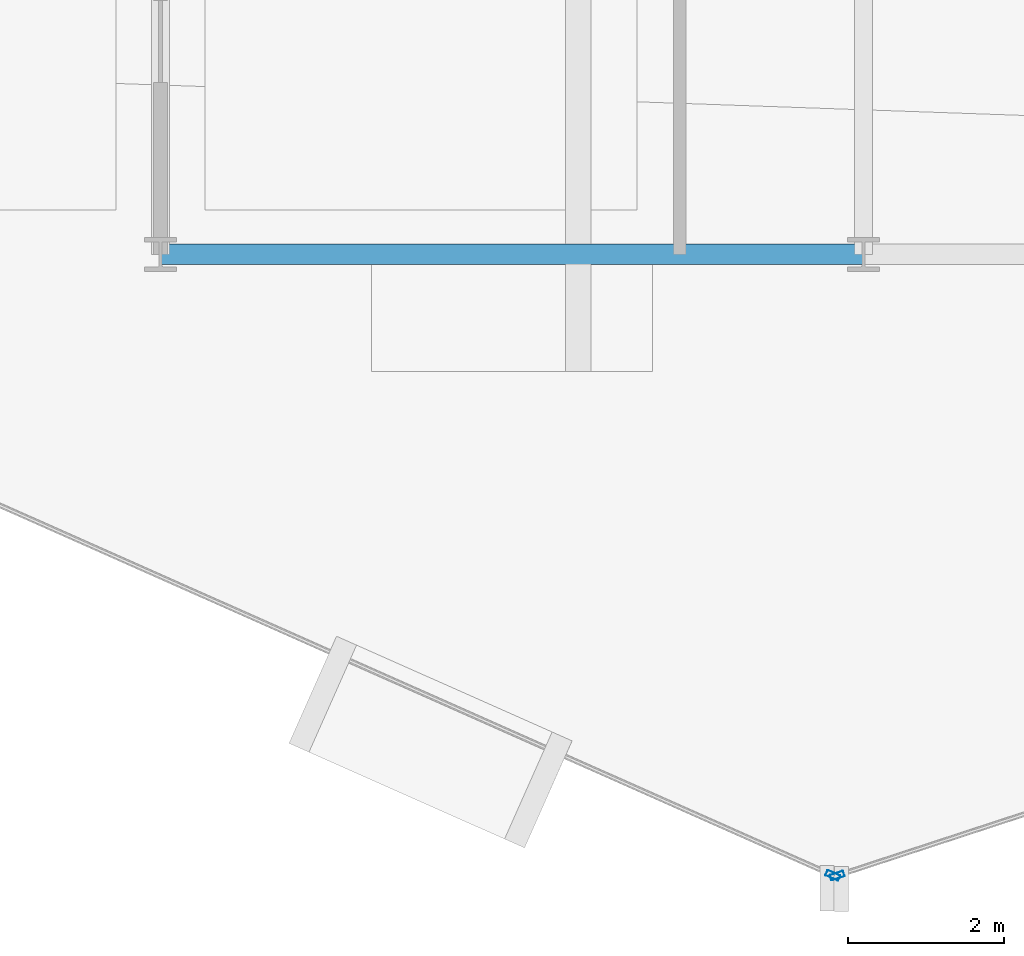
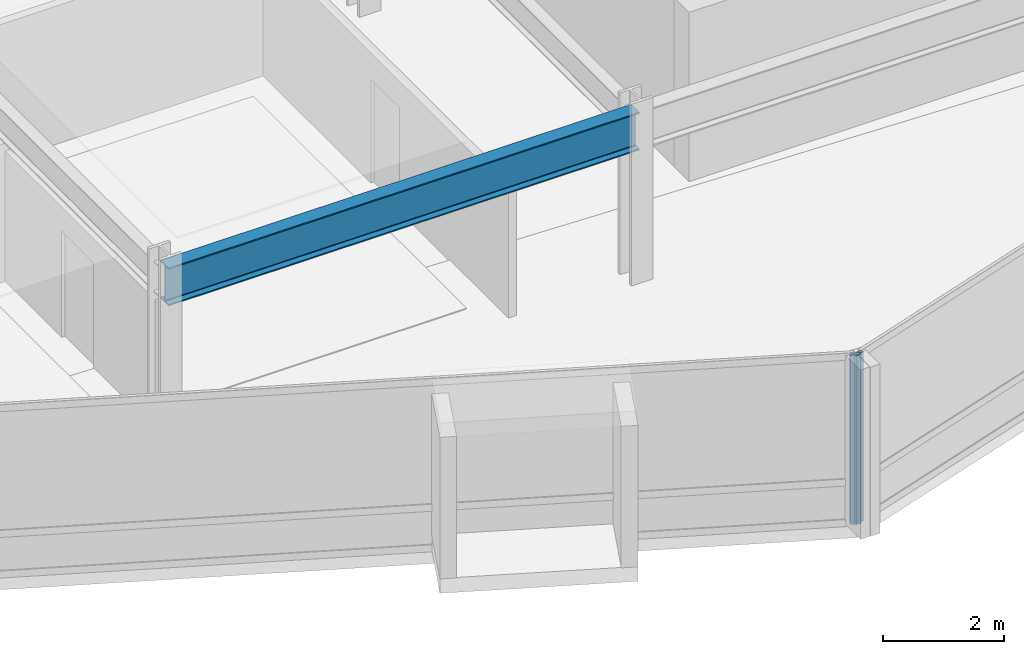
# One storey, part 4 of 29: 2 members, 1 beam, 2 elements without a shape of their own.
"""IFC4 building model written with IfcOpenShell, lengths in metres."""

from ifc_helpers import new_model, si_unit, direction, frame, origin, origin_2d, place, context, subcontext, project, spatial, hollow_rectangle, i_section, extrude, material, layer, layer_set, material_profile, profile_set, type_object, element, aggregate, save


model = new_model("IFC4")

# Units and contexts
model_context = context("Model", 3, precision=1e-05, world=origin(), true_north=direction((0.0, 1.0)))
body_context = subcontext(model_context, "Body", "Model", "MODEL_VIEW")
ifc_project = project(units=[si_unit("LENGTHUNIT", "METRE"), si_unit("AREAUNIT", "SQUARE_METRE"), si_unit("VOLUMEUNIT", "CUBIC_METRE"), si_unit("PLANEANGLEUNIT", "RADIAN"), si_unit("MASSUNIT", "GRAM", prefix="KILO")], contexts=[model_context])

# Site, building, storey
site_placement = place(None, origin())
site = spatial("IfcSite", under=ifc_project, at=site_placement, CompositionType="ELEMENT")
building_placement = place(site_placement, origin())
building = spatial("IfcBuilding", under=site, at=building_placement, Name="Solvaryn Broadcast Tower", CompositionType="ELEMENT")
storey_placement = place(building_placement, frame((0.0, 0.0, 139.60009765625)))
storey = spatial("IfcBuildingStorey", under=building, at=storey_placement, Name="L34", CompositionType="ELEMENT", Elevation=139.60009765625)

# Beam
ifc_material_1 = material(Name="Steel ASTM A992 Grade 50", Category="steel")
ifc_material_profile_1 = material_profile(ifc_material_1, i_section(OverallWidth=0.26708984375, OverallDepth=0.76611328125, WebThickness=0.014892578125, FlangeThickness=0.023681640625, FilletRadius=0.01806640625, at=origin_2d()))
ifc_profile_set_1 = profile_set([ifc_material_profile_1], Name="Steel ASTM A992 Grade 50")
beam_type = type_object("IfcBeamType", Name="BM-SP2-W30X124", PredefinedType="USERDEFINED", material=ifc_profile_set_1)
beam_placement = place(storey_placement, frame((18.0, 9.0, 3.036865234375), z_axis=(1.0, 0.0, 0.0), x_axis=(0.0, 1.0, 0.0)))
element("IfcBeam", 1, at=beam_placement, inside=storey, type_object=beam_type, Name="L34 Spandrel Beam X (18-27 @ Y=9)", ObjectType="SPANDREL", PredefinedType="USERDEFINED", context=body_context, shape_type="SweptSolid", body=[
    extrude(i_section(OverallWidth=0.26708984375, OverallDepth=0.76611328125, WebThickness=0.014892578125, FlangeThickness=0.023681640625, FilletRadius=0.01806640625, at=origin_2d()), origin(), (0.0, 0.0, 1.0), 9.0),
])

# Curtain wall, member
ifc_material_2 = material(Name="Aluminium and Terracotta Unitised Curtain Wall", Category="masonry")
ifc_layer = layer(ifc_material_2, 0.199951171875)
ifc_layer_set = layer_set([ifc_layer], Name="CW-SYS2-LOWMID")
curtain_wall_type = type_object("IfcCurtainWallType", Name="CW-SYS2-LOWMID", PredefinedType="NOTDEFINED", material=ifc_layer_set)
curtain_wall_1_placement = place(storey_placement, origin())
curtain_wall_1 = element("IfcCurtainWall", 2, at=curtain_wall_1_placement, inside=storey, type_object=curtain_wall_type, Name="L34 Curtain Wall DR3", PredefinedType="NOTDEFINED")
ifc_material_3 = material(Name="Anodised Aluminium 6063-T6", Category="aluminium")
ifc_material_profile_2 = material_profile(ifc_material_3, hollow_rectangle(XDim=0.074951171875, YDim=0.179931640625, WallThickness=0.00390625, InnerFilletRadius=0.00390625, OuterFilletRadius=0.008056640625, at=origin_2d()))
ifc_profile_set_2 = profile_set([ifc_material_profile_2], Name="Anodised Aluminium 6063-T6")
member_type = type_object("IfcMemberType", Name="CW-MUL-180", PredefinedType="MULLION", material=ifc_profile_set_2)
member_1_placement = place(storey_placement, frame((26.608642578125, 1.046142578125, 0.0), z_axis=(0.0, 0.0, 1.0), x_axis=(0.405918429309, 0.913909311008, 0.0)))
member_1 = element("IfcMember", 3, at=member_1_placement, type_object=member_type, Name="CWS2 mullion 2", PredefinedType="MULLION", context=body_context, shape_type="SweptSolid", body=[
    extrude(hollow_rectangle(XDim=0.074951171875, YDim=0.179931640625, WallThickness=0.00390625, InnerFilletRadius=0.00390625, OuterFilletRadius=0.008056640625, at=origin_2d()), origin(), (0.0, 0.0, 1.0), 3.419921875),
])
aggregate(curtain_wall_1, [member_1])

curtain_wall_2_placement = place(storey_placement, origin())
curtain_wall_2 = element("IfcCurtainWall", 4, at=curtain_wall_2_placement, inside=storey, type_object=curtain_wall_type, Name="L34 Curtain Wall DR4", PredefinedType="NOTDEFINED")
member_2_placement = place(storey_placement, frame((26.66455078125, 1.04345703125, 0.0), z_axis=(0.0, 0.0, 1.0), x_axis=(-0.311646057547, 0.950198260794, 0.0)))
member_2 = element("IfcMember", 5, at=member_2_placement, type_object=member_type, Name="CWS2 mullion 1", PredefinedType="MULLION", context=body_context, shape_type="SweptSolid", body=[
    extrude(hollow_rectangle(XDim=0.074951171875, YDim=0.179931640625, WallThickness=0.00390625, InnerFilletRadius=0.00390625, OuterFilletRadius=0.008056640625, at=origin_2d()), origin(), (0.0, 0.0, 1.0), 3.419921875),
])
aggregate(curtain_wall_2, [member_2])

save(model, "model.ifc")
